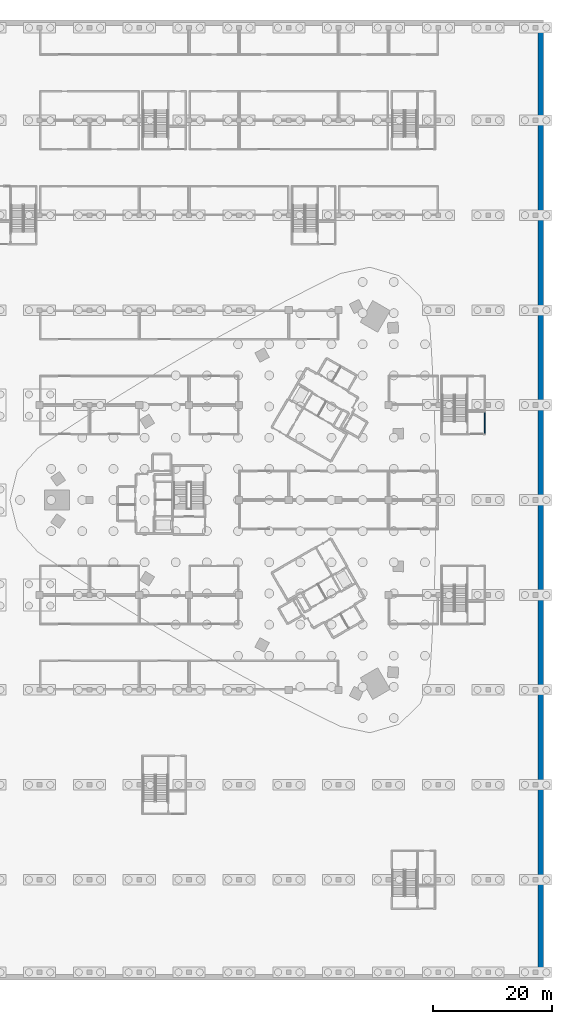
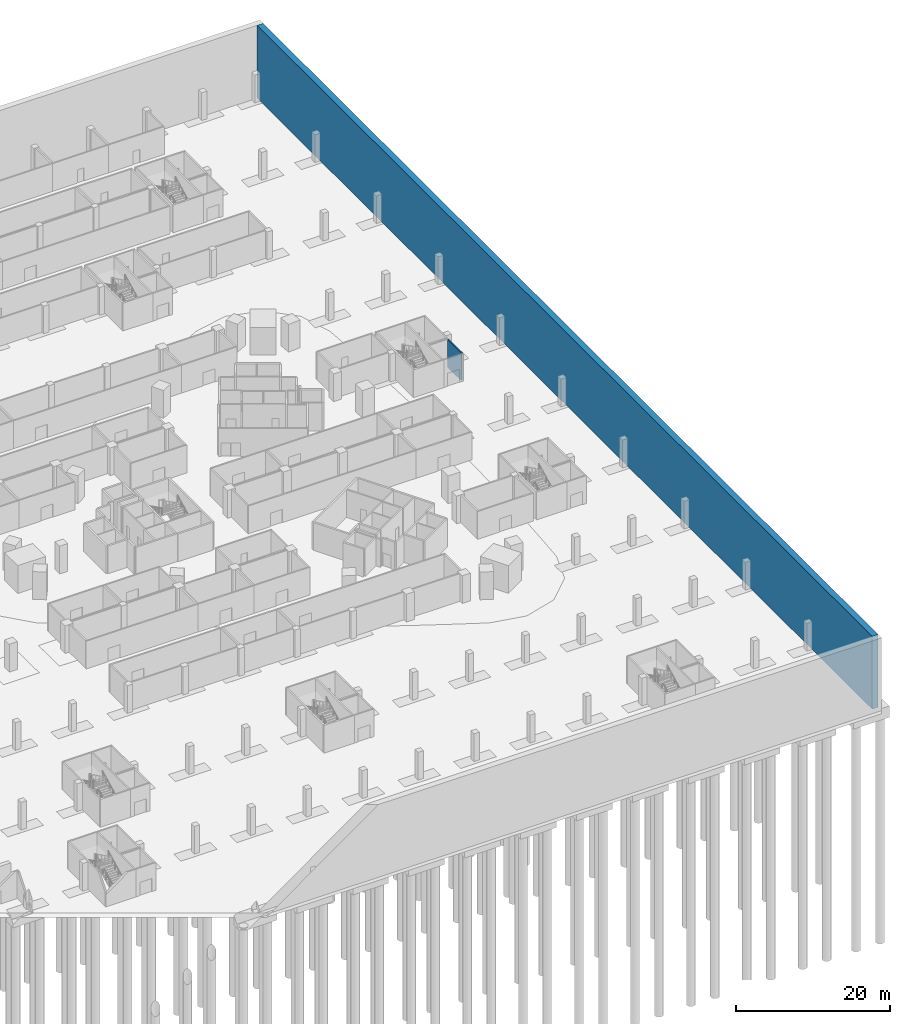
# One storey, part 19 of 46: 2 walls.
"""IFC4 building model written with IfcOpenShell, lengths in metres."""

from ifc_helpers import new_model, si_unit, direction, frame, frame_2d, origin, place, context, subcontext, project, spatial, rectangle, extrude, material, layer, layer_set, type_object, element, save


model = new_model("IFC4")

# Units and contexts
model_context = context("Model", 3, precision=1e-05, world=origin(), true_north=direction((0.0, 1.0)))
body_context = subcontext(model_context, "Body", "Model", "MODEL_VIEW")
ifc_project = project(units=[si_unit("LENGTHUNIT", "METRE"), si_unit("AREAUNIT", "SQUARE_METRE"), si_unit("VOLUMEUNIT", "CUBIC_METRE"), si_unit("PLANEANGLEUNIT", "RADIAN"), si_unit("MASSUNIT", "GRAM", prefix="KILO")], contexts=[model_context])

# Site, building, storey
site_placement = place(None, origin())
site = spatial("IfcSite", under=ifc_project, at=site_placement, CompositionType="ELEMENT")
building_placement = place(site_placement, origin())
building = spatial("IfcBuilding", under=site, at=building_placement, Name="Tamra Quay Hotel Tower", CompositionType="ELEMENT")
storey_placement = place(building_placement, frame((0.0, 0.0, -12.0)))
storey = spatial("IfcBuildingStorey", under=building, at=storey_placement, Name="B3", CompositionType="ELEMENT", Elevation=-12.0)

# Walls
ifc_material_1 = material(Name="Blockwork", Category="masonry")
ifc_layer_1 = layer(ifc_material_1, 0.199951171875)
ifc_layer_set_1 = layer_set([ifc_layer_1], Name="Car park room wall 200")
wall_type_1 = type_object("IfcWallType", Name="Car park room wall 200", PredefinedType="PARTITIONING", material=ifc_layer_set_1)
wall_1_placement = place(storey_placement, frame((36.35009765625, 11.199951171875, 0.0), z_axis=(0.0, 0.0, 1.0), x_axis=(0.0, 1.0, 0.0)))
element("IfcWall", 1, at=wall_1_placement, inside=storey, type_object=wall_type_1, Name="PW", PredefinedType="PARTITIONING", context=body_context, shape_type="SweptSolid", body=[
    extrude(rectangle(XDim=3.60009765625, YDim=0.199951171875, at=frame_2d((1.800048828125, 0.0))), origin(), (0.0, 0.0, 1.0), 4.39990234375),
])
ifc_material_2 = material(Name="Concrete M70", Category="concrete")
ifc_layer_2 = layer(ifc_material_2, 0.89990234375)
ifc_layer_set_2 = layer_set([ifc_layer_2], Name="RETAINING WALL 900")
wall_type_2 = type_object("IfcWallType", Name="RETAINING WALL 900", PredefinedType="USERDEFINED", material=ifc_layer_set_2)
wall_2_placement = place(storey_placement, frame((45.75, -80.0, 0.0), z_axis=(0.0, 0.0, 1.0), x_axis=(0.0, 1.0, 0.0)))
element("IfcWall", 2, at=wall_2_placement, inside=storey, type_object=wall_type_2, Name="RW900", ObjectType="RETAINING", PredefinedType="USERDEFINED", context=body_context, shape_type="SweptSolid", body=[
    extrude(rectangle(XDim=160.0, YDim=0.89990234375, at=frame_2d((80.0, 0.0))), origin(), (0.0, 0.0, 1.0), 11.550048828125),
])

save(model, "model.ifc")
